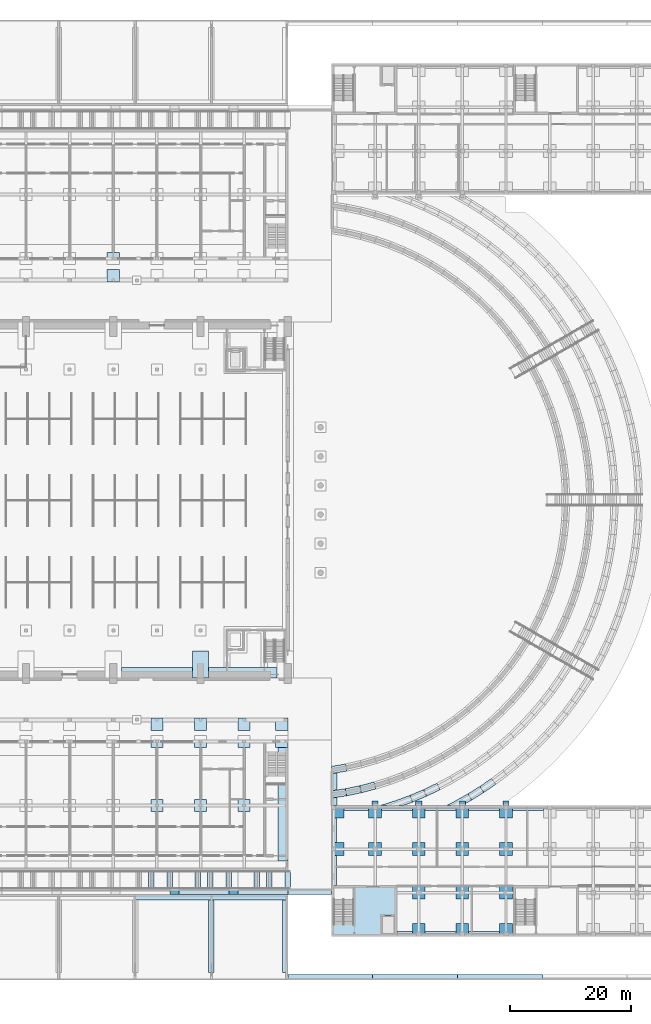
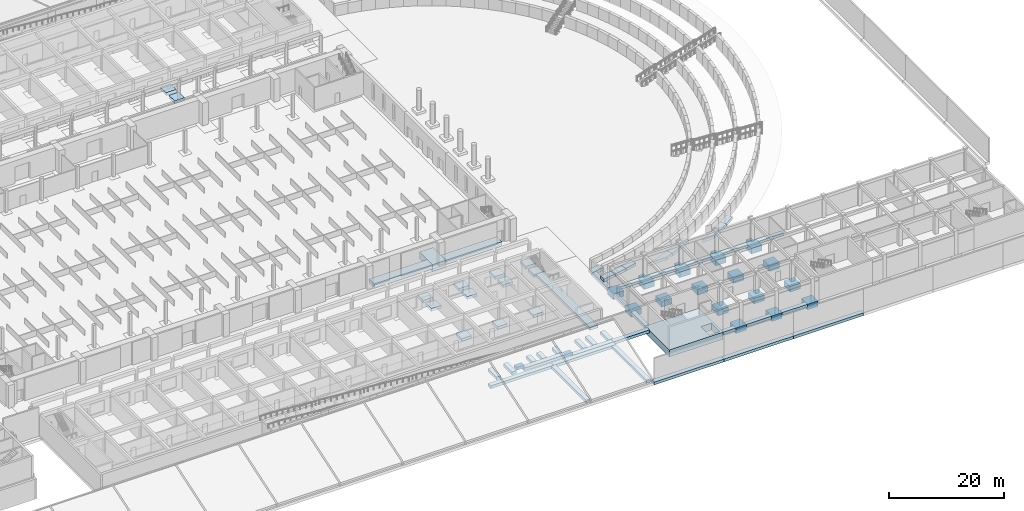
# One storey, part 6 of 73: 79 footings.
"""IFC4 building model written with IfcOpenShell, lengths in metres."""

from ifc_helpers import new_model, si_unit, direction, frame, origin, origin_2d, place, context, subcontext, project, spatial, polyline, rectangle, outline, extrude, material, type_object, element, save


model = new_model("IFC4")

# Units and contexts
model_context = context("Model", 3, precision=1e-05, world=origin(), true_north=direction((0.0, 1.0)))
body_context = subcontext(model_context, "Body", "Model", "MODEL_VIEW")
ifc_project = project(units=[si_unit("LENGTHUNIT", "METRE"), si_unit("AREAUNIT", "SQUARE_METRE"), si_unit("VOLUMEUNIT", "CUBIC_METRE"), si_unit("PLANEANGLEUNIT", "RADIAN"), si_unit("MASSUNIT", "GRAM", prefix="KILO")], contexts=[model_context])

# Site, building, storey
site_placement = place(None, origin())
site = spatial("IfcSite", under=ifc_project, at=site_placement, CompositionType="ELEMENT")
building_placement = place(site_placement, origin())
building = spatial("IfcBuilding", under=site, at=building_placement, Name="Alderwick Market Hall", CompositionType="ELEMENT")
storey_placement = place(building_placement, origin())
storey = spatial("IfcBuildingStorey", under=building, at=storey_placement, Name="LG", CompositionType="ELEMENT", Elevation=0.0)

# Footings
ifc_material = material(Name="Concrete 4000 psi (f'c 28 MPa)", Category="concrete")
footing_type_1 = type_object("IfcFootingType", Name="A Pad Footing 2000x2000x600", PredefinedType="PAD_FOOTING", material=ifc_material)
footing_1_placement = place(storey_placement, frame((0.0, 0.0, -0.60009765625)))
element("IfcFooting", 1, at=footing_1_placement, inside=storey, type_object=footing_type_1, Name="A.N.pad.F10", PredefinedType="PAD_FOOTING", context=body_context, shape_type="SweptSolid", body=[
    extrude(outline(polyline([(121.39990234375, 118.050048828125), (123.39990234375, 118.050048828125), (123.39990234375, 120.050048828125), (121.39990234375, 120.050048828125), (121.39990234375, 118.050048828125)])), origin(), (0.0, 0.0, 1.0), 0.60009765625),
])
footing_2_placement = place(storey_placement, frame((0.0, 0.0, -0.60009765625)))
element("IfcFooting", 2, at=footing_2_placement, inside=storey, type_object=footing_type_1, Name="A.N.pad.C10", PredefinedType="PAD_FOOTING", context=body_context, shape_type="SweptSolid", body=[
    extrude(outline(polyline([(121.39990234375, 115.199951171875), (123.39990234375, 115.199951171875), (123.39990234375, 117.199951171875), (121.39990234375, 117.199951171875), (121.39990234375, 115.199951171875)])), origin(), (0.0, 0.0, 1.0), 0.60009765625),
])
footing_3_placement = place(storey_placement, frame((0.0, 0.0, -0.60009765625)))
element("IfcFooting", 3, at=footing_3_placement, inside=storey, type_object=footing_type_1, Name="A.S.pad.F11", PredefinedType="PAD_FOOTING", context=body_context, shape_type="SweptSolid", body=[
    extrude(outline(polyline([(128.60009765625, 38.35009765625), (130.60009765625, 38.35009765625), (130.60009765625, 40.35009765625), (128.60009765625, 40.35009765625), (128.60009765625, 38.35009765625)])), origin(), (0.0, 0.0, 1.0), 0.60009765625),
])
footing_4_placement = place(storey_placement, frame((0.0, 0.0, -0.60009765625)))
element("IfcFooting", 4, at=footing_4_placement, inside=storey, type_object=footing_type_1, Name="A.S.pad.F12", PredefinedType="PAD_FOOTING", context=body_context, shape_type="SweptSolid", body=[
    extrude(outline(polyline([(135.800048828125, 38.35009765625), (137.800048828125, 38.35009765625), (137.800048828125, 40.35009765625), (135.800048828125, 40.35009765625), (135.800048828125, 38.35009765625)])), origin(), (0.0, 0.0, 1.0), 0.60009765625),
])
footing_5_placement = place(storey_placement, frame((0.0, 0.0, -0.60009765625)))
element("IfcFooting", 5, at=footing_5_placement, inside=storey, type_object=footing_type_1, Name="A.S.pad.F13", PredefinedType="PAD_FOOTING", context=body_context, shape_type="SweptSolid", body=[
    extrude(outline(polyline([(143.0, 38.35009765625), (145.0, 38.35009765625), (145.0, 40.35009765625), (143.0, 40.35009765625), (143.0, 38.35009765625)])), origin(), (0.0, 0.0, 1.0), 0.60009765625),
])
footing_6_placement = place(storey_placement, frame((0.0, 0.0, -0.60009765625)))
element("IfcFooting", 6, at=footing_6_placement, inside=storey, type_object=footing_type_1, Name="A.S.pad.F14", PredefinedType="PAD_FOOTING", context=body_context, shape_type="SweptSolid", body=[
    extrude(outline(polyline([(149.199951171875, 38.35009765625), (151.199951171875, 38.35009765625), (151.199951171875, 40.35009765625), (149.199951171875, 40.35009765625), (149.199951171875, 38.35009765625)])), origin(), (0.0, 0.0, 1.0), 0.60009765625),
])
footing_7_placement = place(storey_placement, frame((0.0, 0.0, -0.60009765625)))
element("IfcFooting", 7, at=footing_7_placement, inside=storey, type_object=footing_type_1, Name="A.S.pad.M10", PredefinedType="PAD_FOOTING", context=body_context, shape_type="SweptSolid", body=[
    extrude(outline(polyline([(128.60009765625, 27.800048828125), (130.60009765625, 27.800048828125), (130.60009765625, 29.800048828125), (128.60009765625, 29.800048828125), (128.60009765625, 27.800048828125)])), origin(), (0.0, 0.0, 1.0), 0.60009765625),
])
footing_8_placement = place(storey_placement, frame((0.0, 0.0, -0.60009765625)))
element("IfcFooting", 8, at=footing_8_placement, inside=storey, type_object=footing_type_1, Name="A.S.pad.M11", PredefinedType="PAD_FOOTING", context=body_context, shape_type="SweptSolid", body=[
    extrude(outline(polyline([(135.800048828125, 27.800048828125), (137.800048828125, 27.800048828125), (137.800048828125, 29.800048828125), (135.800048828125, 29.800048828125), (135.800048828125, 27.800048828125)])), origin(), (0.0, 0.0, 1.0), 0.60009765625),
])
footing_9_placement = place(storey_placement, frame((0.0, 0.0, -0.60009765625)))
element("IfcFooting", 9, at=footing_9_placement, inside=storey, type_object=footing_type_1, Name="A.S.pad.M12", PredefinedType="PAD_FOOTING", context=body_context, shape_type="SweptSolid", body=[
    extrude(outline(polyline([(143.0, 27.800048828125), (145.0, 27.800048828125), (145.0, 29.800048828125), (143.0, 29.800048828125), (143.0, 27.800048828125)])), origin(), (0.0, 0.0, 1.0), 0.60009765625),
])
footing_10_placement = place(storey_placement, frame((0.0, 0.0, -0.60009765625)))
element("IfcFooting", 10, at=footing_10_placement, inside=storey, type_object=footing_type_1, Name="A.S.pad.C11", PredefinedType="PAD_FOOTING", context=body_context, shape_type="SweptSolid", body=[
    extrude(outline(polyline([(128.60009765625, 41.199951171875), (130.60009765625, 41.199951171875), (130.60009765625, 43.199951171875), (128.60009765625, 43.199951171875), (128.60009765625, 41.199951171875)])), origin(), (0.0, 0.0, 1.0), 0.60009765625),
])
footing_11_placement = place(storey_placement, frame((0.0, 0.0, -0.60009765625)))
element("IfcFooting", 11, at=footing_11_placement, inside=storey, type_object=footing_type_1, Name="A.S.pad.C12", PredefinedType="PAD_FOOTING", context=body_context, shape_type="SweptSolid", body=[
    extrude(outline(polyline([(135.800048828125, 41.199951171875), (137.800048828125, 41.199951171875), (137.800048828125, 43.199951171875), (135.800048828125, 43.199951171875), (135.800048828125, 41.199951171875)])), origin(), (0.0, 0.0, 1.0), 0.60009765625),
])
footing_12_placement = place(storey_placement, frame((0.0, 0.0, -0.60009765625)))
element("IfcFooting", 12, at=footing_12_placement, inside=storey, type_object=footing_type_1, Name="A.S.pad.C13", PredefinedType="PAD_FOOTING", context=body_context, shape_type="SweptSolid", body=[
    extrude(outline(polyline([(143.0, 41.199951171875), (145.0, 41.199951171875), (145.0, 43.199951171875), (143.0, 43.199951171875), (143.0, 41.199951171875)])), origin(), (0.0, 0.0, 1.0), 0.60009765625),
])
footing_13_placement = place(storey_placement, frame((0.0, 0.0, -0.60009765625)))
element("IfcFooting", 13, at=footing_13_placement, inside=storey, type_object=footing_type_1, Name="A.S.pad.C14", PredefinedType="PAD_FOOTING", context=body_context, shape_type="SweptSolid", body=[
    extrude(outline(polyline([(149.199951171875, 41.199951171875), (151.199951171875, 41.199951171875), (151.199951171875, 43.199951171875), (149.199951171875, 43.199951171875), (149.199951171875, 41.199951171875)])), origin(), (0.0, 0.0, 1.0), 0.60009765625),
])
footing_type_2 = type_object("IfcFootingType", Name="A Strip Footing 1600x600", PredefinedType="STRIP_FOOTING", material=ifc_material)
footing_14_placement = place(storey_placement, frame((0.0, 0.0, -0.60009765625)))
element("IfcFooting", 14, at=footing_14_placement, inside=storey, type_object=footing_type_2, Name="A.S.strip.E", PredefinedType="STRIP_FOOTING", context=body_context, shape_type="SweptSolid", body=[
    extrude(outline(polyline([(149.60009765625, 19.60009765625), (151.199951171875, 19.60009765625), (151.199951171875, 38.35009765625), (149.60009765625, 38.35009765625), (149.60009765625, 19.60009765625)])), origin(), (0.0, 0.0, 1.0), 0.60009765625),
])
footing_type_3 = type_object("IfcFootingType", Name="C Core Raft 10800x8400x1500", PredefinedType="PAD_FOOTING", material=ifc_material)
footing_15_placement = place(storey_placement, frame((0.0, 0.0, -1.800048828125)))
element("IfcFooting", 15, at=footing_15_placement, inside=storey, type_object=footing_type_3, Name="C.raft.LG.A", PredefinedType="PAD_FOOTING", context=body_context, shape_type="SweptSolid", body=[
    extrude(outline(polyline([(158.39990234375, 15.60009765625), (169.199951171875, 15.60009765625), (169.199951171875, 7.199951171875), (158.39990234375, 7.199951171875), (158.39990234375, 15.60009765625)]), holes=[polyline([(166.699951171875, 10.60009765625), (168.800048828125, 10.60009765625), (168.800048828125, 7.60009765625), (166.699951171875, 7.60009765625), (166.699951171875, 10.60009765625)])]), origin(), (0.0, 0.0, 1.0), 1.5),
])
footing_type_4 = type_object("IfcFootingType", Name="C Pad Footing 2100x2100x1200", PredefinedType="PAD_FOOTING", material=ifc_material)
for number, where, z_axis, x_axis, name in (
    (16, (159.449951171875, 27.75, -1.5), (0.0, 0.0, 1.0), (1.0, 0.0, 0.0), "C.cap.LG.01"),
    (17, (165.60009765625, 27.75, -1.5), (0.0, 0.0, 1.0), (1.0, 0.0, 0.0), "C.cap.LG.02"),
    (18, (172.800048828125, 27.75, -1.5), (0.0, 0.0, 1.0), (1.0, 0.0, 0.0), "C.cap.LG.03"),
    (19, (180.0, 27.75, -1.5), (0.0, 0.0, 1.0), (1.0, 0.0, 0.0), "C.cap.LG.04"),
    (20, (187.199951171875, 27.75, -1.5), (0.0, 0.0, 1.0), (1.0, 0.0, 0.0), "C.cap.LG.05"),
    (21, (159.449951171875, 21.60009765625, -1.5), (0.0, 0.0, 1.0), (1.0, 0.0, 0.0), "C.cap.LG.12"),
    (22, (165.60009765625, 21.60009765625, -1.5), (0.0, 0.0, 1.0), (1.0, 0.0, 0.0), "C.cap.LG.13"),
    (23, (172.800048828125, 21.60009765625, -1.5), (0.0, 0.0, 1.0), (1.0, 0.0, 0.0), "C.cap.LG.14"),
    (24, (180.0, 21.60009765625, -1.5), (0.0, 0.0, 1.0), (1.0, 0.0, 0.0), "C.cap.LG.15"),
    (25, (187.199951171875, 21.60009765625, -1.5), (0.0, 0.0, 1.0), (1.0, 0.0, 0.0), "C.cap.LG.16"),
    (26, (172.800048828125, 14.39990234375, -1.5), (0.0, 0.0, 1.0), (1.0, 0.0, 0.0), "C.cap.LG.23"),
    (27, (180.0, 14.39990234375, -1.5), (0.0, 0.0, 1.0), (1.0, 0.0, 0.0), "C.cap.LG.24"),
    (28, (187.199951171875, 14.39990234375, -1.5), (0.0, 0.0, 1.0), (1.0, 0.0, 0.0), "C.cap.LG.25"),
    (29, (172.800048828125, 8.25, -1.5), (0.0, 0.0, 1.0), (1.0, 0.0, 0.0), "C.cap.LG.29"),
    (30, (180.0, 8.25, -1.5), (0.0, 0.0, 1.0), (1.0, 0.0, 0.0), "C.cap.LG.30"),
    (31, (187.199951171875, 8.25, -1.5), (0.0, 0.0, 1.0), (1.0, 0.0, 0.0), "C.cap.LG.31"),
):
    element("IfcFooting", number, at=place(storey_placement, frame(where, z_axis=z_axis, x_axis=x_axis)), inside=storey, type_object=footing_type_4, Name=name, PredefinedType="PAD_FOOTING", context=body_context, shape_type="SweptSolid", body=[
        extrude(rectangle(XDim=2.10009765625, YDim=2.10009765625, at=origin_2d()), origin(), (0.0, 0.0, 1.0), 1.199951171875),
    ])
footing_type_5 = type_object("IfcFootingType", Name="C Pilaster Pad Footing 1000x700x600", PredefinedType="PAD_FOOTING", material=ifc_material)
for number, where, z_axis, x_axis, name in (
    (32, (165.60009765625, 29.14990234375, -0.900146484375), (0.0, 0.0, 1.0), (1.0, 0.0, 0.0), "C.pilaster.foot.LG.001"),
    (33, (172.800048828125, 29.14990234375, -0.900146484375), (0.0, 0.0, 1.0), (1.0, 0.0, 0.0), "C.pilaster.foot.LG.005"),
    (34, (180.0, 29.14990234375, -0.900146484375), (0.0, 0.0, 1.0), (1.0, 0.0, 0.0), "C.pilaster.foot.LG.009"),
    (35, (187.199951171875, 29.14990234375, -0.900146484375), (0.0, 0.0, 1.0), (1.0, 0.0, 0.0), "C.pilaster.foot.LG.013"),
):
    element("IfcFooting", number, at=place(storey_placement, frame(where, z_axis=z_axis, x_axis=x_axis)), inside=storey, type_object=footing_type_5, Name=name, PredefinedType="PAD_FOOTING", context=body_context, shape_type="SweptSolid", body=[
        extrude(rectangle(XDim=1.0, YDim=0.699951171875, at=origin_2d()), origin(), (0.0, 0.0, 1.0), 0.60009765625),
    ])
footing_type_6 = type_object("IfcFootingType", Name="C Strip Footing 800x600", PredefinedType="STRIP_FOOTING", material=ifc_material)
footing_16_placement = place(storey_placement, frame((0.0, 0.0, -0.89990234375)))
element("IfcFooting", 36, at=footing_16_placement, inside=storey, type_object=footing_type_6, Name="C.strip.LG.01", PredefinedType="STRIP_FOOTING", context=body_context, shape_type="SweptSolid", body=[
    extrude(outline(polyline([(160.5009765625, 28.0), (164.549072265625, 28.0), (164.549072265625, 28.800048828125), (160.5009765625, 28.800048828125), (160.5009765625, 28.0)])), origin(), (0.0, 0.0, 1.0), 0.599853515625),
])
footing_17_placement = place(storey_placement, frame((0.0, 0.0, -0.89990234375)))
element("IfcFooting", 37, at=footing_17_placement, inside=storey, type_object=footing_type_6, Name="C.strip.LG.02", PredefinedType="STRIP_FOOTING", context=body_context, shape_type="SweptSolid", body=[
    extrude(outline(polyline([(166.65087890625, 28.0), (171.7490234375, 28.0), (171.7490234375, 28.800048828125), (166.65087890625, 28.800048828125), (166.65087890625, 28.0)])), origin(), (0.0, 0.0, 1.0), 0.599853515625),
])
footing_18_placement = place(storey_placement, frame((0.0, 0.0, -0.89990234375)))
element("IfcFooting", 38, at=footing_18_placement, inside=storey, type_object=footing_type_6, Name="C.strip.LG.03", PredefinedType="STRIP_FOOTING", context=body_context, shape_type="SweptSolid", body=[
    extrude(outline(polyline([(173.85107421875, 28.0), (178.948974609375, 28.0), (178.948974609375, 28.800048828125), (173.85107421875, 28.800048828125), (173.85107421875, 28.0)])), origin(), (0.0, 0.0, 1.0), 0.599853515625),
])
footing_19_placement = place(storey_placement, frame((0.0, 0.0, -0.89990234375)))
element("IfcFooting", 39, at=footing_19_placement, inside=storey, type_object=footing_type_6, Name="C.strip.LG.04", PredefinedType="STRIP_FOOTING", context=body_context, shape_type="SweptSolid", body=[
    extrude(outline(polyline([(181.051025390625, 28.0), (186.14892578125, 28.0), (186.14892578125, 28.800048828125), (181.051025390625, 28.800048828125), (181.051025390625, 28.0)])), origin(), (0.0, 0.0, 1.0), 0.599853515625),
])
footing_20_placement = place(storey_placement, frame((0.0, 0.0, -0.89990234375)))
element("IfcFooting", 40, at=footing_20_placement, inside=storey, type_object=footing_type_6, Name="C.strip.LG.05", PredefinedType="STRIP_FOOTING", context=body_context, shape_type="SweptSolid", body=[
    extrude(outline(polyline([(188.2509765625, 28.0), (193.34912109375, 28.0), (193.34912109375, 28.800048828125), (188.2509765625, 28.800048828125), (188.2509765625, 28.0)])), origin(), (0.0, 0.0, 1.0), 0.599853515625),
])
footing_21_placement = place(storey_placement, frame((0.0, 0.0, -0.89990234375)))
element("IfcFooting", 41, at=footing_21_placement, inside=storey, type_object=footing_type_6, Name="C.strip.LG.11", PredefinedType="STRIP_FOOTING", context=body_context, shape_type="SweptSolid", body=[
    extrude(outline(polyline([(169.200927734375, 7.199951171875), (171.7490234375, 7.199951171875), (171.7490234375, 8.0), (169.200927734375, 8.0), (169.200927734375, 7.199951171875)])), origin(), (0.0, 0.0, 1.0), 0.599853515625),
])
footing_22_placement = place(storey_placement, frame((0.0, 0.0, -0.89990234375)))
element("IfcFooting", 42, at=footing_22_placement, inside=storey, type_object=footing_type_6, Name="C.strip.LG.12", PredefinedType="STRIP_FOOTING", context=body_context, shape_type="SweptSolid", body=[
    extrude(outline(polyline([(173.85107421875, 7.199951171875), (178.948974609375, 7.199951171875), (178.948974609375, 8.0), (173.85107421875, 8.0), (173.85107421875, 7.199951171875)])), origin(), (0.0, 0.0, 1.0), 0.599853515625),
])
footing_23_placement = place(storey_placement, frame((0.0, 0.0, -0.89990234375)))
element("IfcFooting", 43, at=footing_23_placement, inside=storey, type_object=footing_type_6, Name="C.strip.LG.13", PredefinedType="STRIP_FOOTING", context=body_context, shape_type="SweptSolid", body=[
    extrude(outline(polyline([(181.051025390625, 7.199951171875), (186.14892578125, 7.199951171875), (186.14892578125, 8.0), (181.051025390625, 8.0), (181.051025390625, 7.199951171875)])), origin(), (0.0, 0.0, 1.0), 0.599853515625),
])
footing_24_placement = place(storey_placement, frame((0.0, 0.0, -0.89990234375)))
element("IfcFooting", 44, at=footing_24_placement, inside=storey, type_object=footing_type_6, Name="C.strip.LG.18", PredefinedType="STRIP_FOOTING", context=body_context, shape_type="SweptSolid", body=[
    extrude(outline(polyline([(158.39990234375, 22.65087890625), (159.199951171875, 22.65087890625), (159.199951171875, 26.698974609375), (158.39990234375, 26.698974609375), (158.39990234375, 22.65087890625)])), origin(), (0.0, 0.0, 1.0), 0.599853515625),
])
footing_25_placement = place(storey_placement, frame((0.0, 0.0, -0.89990234375)))
element("IfcFooting", 45, at=footing_25_placement, inside=storey, type_object=footing_type_6, Name="C.strip.LG.19", PredefinedType="STRIP_FOOTING", context=body_context, shape_type="SweptSolid", body=[
    extrude(outline(polyline([(158.39990234375, 15.60107421875), (159.199951171875, 15.60107421875), (159.199951171875, 20.549072265625), (158.39990234375, 20.549072265625), (158.39990234375, 15.60107421875)])), origin(), (0.0, 0.0, 1.0), 0.599853515625),
])
footing_type_7 = type_object("IfcFootingType", Name="H Pad footing 2700x4500x1500", PredefinedType="PAD_FOOTING", material=ifc_material)
footing_26_placement = place(storey_placement, frame((136.800048828125, 52.050048828125, -1.5), z_axis=(0.0, 0.0, 1.0), x_axis=(1.0, 0.0, 0.0)))
element("IfcFooting", 46, at=footing_26_placement, inside=storey, type_object=footing_type_7, Name="Pier footing S7", PredefinedType="PAD_FOOTING", context=body_context, shape_type="SweptSolid", body=[
    extrude(rectangle(XDim=2.699951171875, YDim=4.5, at=origin_2d()), origin(), (0.0, 0.0, 1.0), 1.5),
])
footing_type_8 = type_object("IfcFootingType", Name="H Strip footing 900", PredefinedType="STRIP_FOOTING", material=ifc_material)
footing_27_placement = place(storey_placement, frame((0.0, 0.0, -0.89990234375)))
element("IfcFooting", 47, at=footing_27_placement, inside=storey, type_object=footing_type_8, Name="Strip footing", PredefinedType="STRIP_FOOTING", context=body_context, shape_type="SweptSolid", body=[
    extrude(outline(polyline([(135.449951171875, 51.60009765625), (135.449951171875, 49.800048828125), (123.75, 49.800048828125), (123.75, 51.60009765625), (135.449951171875, 51.60009765625)])), origin(), (0.0, 0.0, 1.0), 0.89990234375),
])
footing_28_placement = place(storey_placement, frame((0.0, 0.0, -0.89990234375)))
element("IfcFooting", 48, at=footing_28_placement, inside=storey, type_object=footing_type_8, Name="Strip footing", PredefinedType="STRIP_FOOTING", context=body_context, shape_type="SweptSolid", body=[
    extrude(outline(polyline([(149.39990234375, 51.60009765625), (149.39990234375, 49.800048828125), (138.14990234375, 49.800048828125), (138.14990234375, 51.60009765625), (149.39990234375, 51.60009765625)])), origin(), (0.0, 0.0, 1.0), 0.89990234375),
])
footing_type_9 = type_object("IfcFootingType", Name="S Strip Footing 900", PredefinedType="STRIP_FOOTING", material=ifc_material)
footing_29_placement = place(storey_placement, frame((0.0, 0.0, -0.85009765625)))
element("IfcFooting", 49, at=footing_29_placement, inside=storey, type_object=footing_type_9, Name="S.efoot.07a.1", PredefinedType="STRIP_FOOTING", context=body_context, shape_type="SweptSolid", body=[
    extrude(outline(polyline([(159.300048828125, 28.81005859375), (159.300048828125, 34.44189453125), (158.39990234375, 34.44189453125), (158.39990234375, 28.81005859375), (159.300048828125, 28.81005859375)])), origin(), (0.0, 0.0, 1.0), 0.60009765625),
])
footing_30_placement = place(storey_placement, frame((0.0, 0.0, -0.800048828125)))
element("IfcFooting", 50, at=footing_30_placement, inside=storey, type_object=footing_type_9, Name="S.ffoot.W1.01", PredefinedType="STRIP_FOOTING", context=body_context, shape_type="SweptSolid", body=[
    extrude(outline(polyline([(158.39990234375, 35.25146484375), (158.39990234375, 34.037841796875), (158.48388671875, 34.049072265625), (160.968994140625, 34.470703125), (160.735595703125, 35.64794921875), (158.39990234375, 35.25146484375)])), origin(), (0.0, 0.0, 1.0), 0.60009765625),
])
footing_31_placement = place(storey_placement, frame((0.0, 0.0, 0.300048828125)))
element("IfcFooting", 51, at=footing_31_placement, inside=storey, type_object=footing_type_9, Name="S.ffoot.W2.01", PredefinedType="STRIP_FOOTING", context=body_context, shape_type="SweptSolid", body=[
    extrude(outline(polyline([(158.39990234375, 31.213623046875), (158.39990234375, 30.002197265625), (158.47705078125, 30.01171875), (160.921875, 30.390869140625), (160.708251953125, 31.57177734375), (158.39990234375, 31.213623046875)])), origin(), (0.0, 0.0, 1.0), 0.599853515625),
])
footing_32_placement = place(storey_placement, frame((0.0, 0.0, 0.300048828125)))
element("IfcFooting", 52, at=footing_32_placement, inside=storey, type_object=footing_type_9, Name="S.ffoot.W2.02", PredefinedType="STRIP_FOOTING", context=body_context, shape_type="SweptSolid", body=[
    extrude(outline(polyline([(160.921875, 30.390869140625), (163.344482421875, 30.891357421875), (163.072509765625, 32.06005859375), (160.708251953125, 31.57177734375), (160.921875, 30.390869140625)])), origin(), (0.0, 0.0, 1.0), 0.599853515625),
])
footing_33_placement = place(storey_placement, frame((0.0, 0.0, 0.300048828125)))
element("IfcFooting", 53, at=footing_33_placement, inside=storey, type_object=footing_type_9, Name="S.ffoot.W2.03", PredefinedType="STRIP_FOOTING", context=body_context, shape_type="SweptSolid", body=[
    extrude(outline(polyline([(163.344482421875, 30.891357421875), (165.739013671875, 31.51220703125), (165.4091796875, 32.666015625), (163.072509765625, 32.06005859375), (163.344482421875, 30.891357421875)])), origin(), (0.0, 0.0, 1.0), 0.599853515625),
])
footing_34_placement = place(storey_placement, frame((0.0, 0.0, 1.5)))
element("IfcFooting", 54, at=footing_34_placement, inside=storey, type_object=footing_type_9, Name="S.ffoot.W3.01", PredefinedType="STRIP_FOOTING", context=body_context, shape_type="SweptSolid", body=[
    extrude(outline(polyline([(166.4384765625, 28.800048828125), (170.302978515625, 28.800048828125), (171.783203125, 29.344970703125), (171.342529296875, 30.461181640625), (169.0517578125, 29.61767578125), (168.189453125, 29.331298828125), (167.322509765625, 29.059814453125), (166.450927734375, 28.803466796875), (166.4384765625, 28.800048828125)])), origin(), (0.0, 0.0, 1.0), 0.60009765625),
])
footing_35_placement = place(storey_placement, frame((0.0, 0.0, 1.5)))
element("IfcFooting", 55, at=footing_35_placement, inside=storey, type_object=footing_type_9, Name="S.ffoot.W3.02", PredefinedType="STRIP_FOOTING", context=body_context, shape_type="SweptSolid", body=[
    extrude(outline(polyline([(171.783203125, 29.344970703125), (174.083984375, 30.31591796875), (173.591796875, 31.41015625), (171.342529296875, 30.461181640625), (171.783203125, 29.344970703125)])), origin(), (0.0, 0.0, 1.0), 0.60009765625),
])
footing_36_placement = place(storey_placement, frame((0.0, 0.0, 1.5)))
element("IfcFooting", 56, at=footing_36_placement, inside=storey, type_object=footing_type_9, Name="S.ffoot.W3.03", PredefinedType="STRIP_FOOTING", context=body_context, shape_type="SweptSolid", body=[
    extrude(outline(polyline([(174.083984375, 30.31591796875), (176.3369140625, 31.392822265625), (175.79443359375, 32.463134765625), (173.591796875, 31.41015625), (174.083984375, 30.31591796875)])), origin(), (0.0, 0.0, 1.0), 0.60009765625),
])
footing_37_placement = place(storey_placement, frame((0.0, 0.0, 2.699951171875)))
element("IfcFooting", 57, at=footing_37_placement, inside=storey, type_object=footing_type_9, Name="S.ffoot.W4.01", PredefinedType="STRIP_FOOTING", context=body_context, shape_type="SweptSolid", body=[
    extrude(outline(polyline([(177.41064453125, 28.800048828125), (179.96728515625, 28.800048828125), (181.53662109375, 29.68994140625), (180.92333984375, 30.721435546875), (178.90673828125, 29.577880859375), (178.055419921875, 29.127197265625), (177.41064453125, 28.800048828125)])), origin(), (0.0, 0.0, 1.0), 0.60009765625),
])
footing_38_placement = place(storey_placement, frame((0.0, 0.0, 2.699951171875)))
element("IfcFooting", 58, at=footing_38_placement, inside=storey, type_object=footing_type_9, Name="S.ffoot.W4.02", PredefinedType="STRIP_FOOTING", context=body_context, shape_type="SweptSolid", body=[
    extrude(outline(polyline([(181.53662109375, 29.68994140625), (183.546142578125, 30.94140625), (182.89111328125, 31.94677734375), (180.92333984375, 30.721435546875), (181.53662109375, 29.68994140625)])), origin(), (0.0, 0.0, 1.0), 0.60009765625),
])
footing_39_placement = place(storey_placement, frame((0.0, 0.0, 2.699951171875)))
element("IfcFooting", 59, at=footing_39_placement, inside=storey, type_object=footing_type_9, Name="S.ffoot.W4.03", PredefinedType="STRIP_FOOTING", context=body_context, shape_type="SweptSolid", body=[
    extrude(outline(polyline([(183.546142578125, 30.94140625), (185.502685546875, 32.2744140625), (184.806884765625, 33.251953125), (182.89111328125, 31.94677734375), (183.546142578125, 30.94140625)])), origin(), (0.0, 0.0, 1.0), 0.60009765625),
])
footing_40_placement = place(storey_placement, frame((0.0, 0.0, -0.85009765625)))
element("IfcFooting", 60, at=footing_40_placement, inside=storey, type_object=footing_type_9, Name="S.tfoot.S.01", PredefinedType="STRIP_FOOTING", context=body_context, shape_type="SweptSolid", body=[
    extrude(outline(polyline([(158.39990234375, 14.10009765625), (158.39990234375, 15.0), (151.199951171875, 15.0), (151.199951171875, 14.10009765625), (158.39990234375, 14.10009765625)])), origin(), (0.0, 0.0, 1.0), 0.60009765625),
])
footing_41_placement = place(storey_placement, frame((0.0, 0.0, -0.85009765625)))
element("IfcFooting", 61, at=footing_41_placement, inside=storey, type_object=footing_type_9, Name="S.tfoot.S.02", PredefinedType="STRIP_FOOTING", context=body_context, shape_type="SweptSolid", body=[
    extrude(outline(polyline([(151.199951171875, 14.10009765625), (151.199951171875, 15.0), (142.970947265625, 15.0), (142.970947265625, 14.10009765625), (151.199951171875, 14.10009765625)])), origin(), (0.0, 0.0, 1.0), 0.60009765625),
])
footing_42_placement = place(storey_placement, frame((0.0, 0.0, -0.164306640625)))
element("IfcFooting", 62, at=footing_42_placement, inside=storey, type_object=footing_type_9, Name="S.tfoot.S.03", PredefinedType="STRIP_FOOTING", context=body_context, shape_type="SweptSolid", body=[
    extrude(outline(polyline([(142.970947265625, 14.10009765625), (142.970947265625, 15.0), (141.470947265625, 15.0), (141.470947265625, 14.10009765625), (142.970947265625, 14.10009765625)])), origin(), (0.0, 0.0, 1.0), 0.60009765625),
])
footing_43_placement = place(storey_placement, frame((0.0, 0.0, -0.164306640625)))
element("IfcFooting", 63, at=footing_43_placement, inside=storey, type_object=footing_type_9, Name="S.tfoot.S.04", PredefinedType="STRIP_FOOTING", context=body_context, shape_type="SweptSolid", body=[
    extrude(outline(polyline([(141.470947265625, 14.10009765625), (141.470947265625, 15.0), (133.242919921875, 15.0), (133.242919921875, 14.10009765625), (141.470947265625, 14.10009765625)])), origin(), (0.0, 0.0, 1.0), 0.60009765625),
])
footing_44_placement = place(storey_placement, frame((0.0, 0.0, 0.521484375)))
element("IfcFooting", 64, at=footing_44_placement, inside=storey, type_object=footing_type_9, Name="S.tfoot.S.05", PredefinedType="STRIP_FOOTING", context=body_context, shape_type="SweptSolid", body=[
    extrude(outline(polyline([(133.242919921875, 14.10009765625), (133.242919921875, 15.0), (131.742919921875, 15.0), (131.742919921875, 14.10009765625), (133.242919921875, 14.10009765625)])), origin(), (0.0, 0.0, 1.0), 0.599853515625),
])
footing_45_placement = place(storey_placement, frame((0.0, 0.0, -0.85009765625)))
element("IfcFooting", 65, at=footing_45_placement, inside=storey, type_object=footing_type_9, Name="Ramp support footing S1a", PredefinedType="STRIP_FOOTING", context=body_context, shape_type="SweptSolid", body=[
    extrude(outline(polyline([(151.64990234375, 15.0), (151.64990234375, 18.0), (150.75, 18.0), (150.75, 15.0), (151.64990234375, 15.0)])), origin(), (0.0, 0.0, 1.0), 0.60009765625),
])
footing_46_placement = place(storey_placement, frame((0.0, 0.0, -0.85009765625)))
element("IfcFooting", 66, at=footing_46_placement, inside=storey, type_object=footing_type_9, Name="Ramp support footing S1b", PredefinedType="STRIP_FOOTING", context=body_context, shape_type="SweptSolid", body=[
    extrude(outline(polyline([(148.564208984375, 15.0), (148.564208984375, 18.0), (147.6640625, 18.0), (147.6640625, 15.0), (148.564208984375, 15.0)])), origin(), (0.0, 0.0, 1.0), 0.60009765625),
])
footing_47_placement = place(storey_placement, frame((0.0, 0.0, -0.85009765625)))
element("IfcFooting", 67, at=footing_47_placement, inside=storey, type_object=footing_type_9, Name="Ramp support footing S1d", PredefinedType="STRIP_FOOTING", context=body_context, shape_type="SweptSolid", body=[
    extrude(outline(polyline([(146.5068359375, 15.0), (146.5068359375, 18.0), (145.60693359375, 18.0), (145.60693359375, 15.0), (146.5068359375, 15.0)])), origin(), (0.0, 0.0, 1.0), 0.60009765625),
])
footing_48_placement = place(storey_placement, frame((0.0, 0.0, -0.85009765625)))
element("IfcFooting", 68, at=footing_48_placement, inside=storey, type_object=footing_type_9, Name="Ramp support footing S1c", PredefinedType="STRIP_FOOTING", context=body_context, shape_type="SweptSolid", body=[
    extrude(outline(polyline([(141.9208984375, 15.0), (141.9208984375, 18.0), (141.02099609375, 18.0), (141.02099609375, 15.0), (141.9208984375, 15.0)])), origin(), (0.0, 0.0, 1.0), 0.60009765625),
])
footing_49_placement = place(storey_placement, frame((0.0, 0.0, -0.85009765625)))
element("IfcFooting", 69, at=footing_49_placement, inside=storey, type_object=footing_type_9, Name="Ramp support footing S2b", PredefinedType="STRIP_FOOTING", context=body_context, shape_type="SweptSolid", body=[
    extrude(outline(polyline([(138.83544921875, 15.0), (138.83544921875, 18.0), (137.935546875, 18.0), (137.935546875, 15.0), (138.83544921875, 15.0)])), origin(), (0.0, 0.0, 1.0), 0.60009765625),
])
footing_50_placement = place(storey_placement, frame((0.0, 0.0, -0.85009765625)))
element("IfcFooting", 70, at=footing_50_placement, inside=storey, type_object=footing_type_9, Name="Ramp support footing S2d", PredefinedType="STRIP_FOOTING", context=body_context, shape_type="SweptSolid", body=[
    extrude(outline(polyline([(136.778564453125, 15.0), (136.778564453125, 18.0), (135.87841796875, 18.0), (135.87841796875, 15.0), (136.778564453125, 15.0)])), origin(), (0.0, 0.0, 1.0), 0.60009765625),
])
footing_51_placement = place(storey_placement, frame((0.0, 0.0, -0.85009765625)))
element("IfcFooting", 71, at=footing_51_placement, inside=storey, type_object=footing_type_9, Name="Ramp support footing S2c", PredefinedType="STRIP_FOOTING", context=body_context, shape_type="SweptSolid", body=[
    extrude(outline(polyline([(132.193115234375, 15.0), (132.193115234375, 18.0), (131.29296875, 18.0), (131.29296875, 15.0), (132.193115234375, 15.0)])), origin(), (0.0, 0.0, 1.0), 0.60009765625),
])
footing_52_placement = place(storey_placement, frame((0.0, 0.0, -0.85009765625)))
element("IfcFooting", 72, at=footing_52_placement, inside=storey, type_object=footing_type_9, Name="Ramp support footing S3b", PredefinedType="STRIP_FOOTING", context=body_context, shape_type="SweptSolid", body=[
    extrude(outline(polyline([(129.107177734375, 15.0), (129.107177734375, 18.0), (128.20703125, 18.0), (128.20703125, 15.0), (129.107177734375, 15.0)])), origin(), (0.0, 0.0, 1.0), 0.60009765625),
])
footing_53_placement = place(storey_placement, frame((0.0, 0.0, -0.85009765625)))
element("IfcFooting", 73, at=footing_53_placement, inside=storey, type_object=footing_type_9, Name="S.berm.S.cfoot.11", PredefinedType="STRIP_FOOTING", context=body_context, shape_type="SweptSolid", body=[
    extrude(outline(polyline([(138.60009765625, 13.199951171875), (138.60009765625, 14.10009765625), (126.0, 14.10009765625), (126.0, 13.199951171875), (138.60009765625, 13.199951171875)])), origin(), (0.0, 0.0, 1.0), 0.60009765625),
])
footing_54_placement = place(storey_placement, frame((0.0, 0.0, -0.85009765625)))
element("IfcFooting", 74, at=footing_54_placement, inside=storey, type_object=footing_type_9, Name="S.berm.S.cfoot.12", PredefinedType="STRIP_FOOTING", context=body_context, shape_type="SweptSolid", body=[
    extrude(outline(polyline([(151.199951171875, 13.199951171875), (151.199951171875, 14.10009765625), (138.60009765625, 14.10009765625), (138.60009765625, 13.199951171875), (151.199951171875, 13.199951171875)])), origin(), (0.0, 0.0, 1.0), 0.60009765625),
])
footing_55_placement = place(storey_placement, frame((0.0, 0.0, -0.85009765625)))
element("IfcFooting", 75, at=footing_55_placement, inside=storey, type_object=footing_type_9, Name="S.berm.S.xfoot.12", PredefinedType="STRIP_FOOTING", context=body_context, shape_type="SweptSolid", body=[
    extrude(outline(polyline([(139.050048828125, 1.199951171875), (139.050048828125, 13.199951171875), (138.14990234375, 13.199951171875), (138.14990234375, 1.199951171875), (139.050048828125, 1.199951171875)])), origin(), (0.0, 0.0, 1.0), 0.60009765625),
])
footing_56_placement = place(storey_placement, frame((0.0, 0.0, -0.85009765625)))
element("IfcFooting", 76, at=footing_56_placement, inside=storey, type_object=footing_type_9, Name="S.berm.S.xfoot.13", PredefinedType="STRIP_FOOTING", context=body_context, shape_type="SweptSolid", body=[
    extrude(outline(polyline([(151.199951171875, 1.199951171875), (151.199951171875, 13.199951171875), (150.300048828125, 13.199951171875), (150.300048828125, 1.199951171875), (151.199951171875, 1.199951171875)])), origin(), (0.0, 0.0, 1.0), 0.60009765625),
])
footing_57_placement = place(storey_placement, frame((0.0, 0.0, -0.85009765625)))
element("IfcFooting", 77, at=footing_57_placement, inside=storey, type_object=footing_type_9, Name="S.bfoot.S01a", PredefinedType="STRIP_FOOTING", context=body_context, shape_type="SweptSolid", body=[
    extrude(outline(polyline([(151.199951171875, 0.89990234375), (151.199951171875, 0.0), (165.199951171875, 0.0), (165.199951171875, 0.89990234375), (151.199951171875, 0.89990234375)])), origin(), (0.0, 0.0, 1.0), 0.60009765625),
])
footing_58_placement = place(storey_placement, frame((0.0, 0.0, -0.85009765625)))
element("IfcFooting", 78, at=footing_58_placement, inside=storey, type_object=footing_type_9, Name="S.bfoot.S01b", PredefinedType="STRIP_FOOTING", context=body_context, shape_type="SweptSolid", body=[
    extrude(outline(polyline([(165.199951171875, 0.89990234375), (165.199951171875, 0.0), (179.199951171875, 0.0), (179.199951171875, 0.89990234375), (165.199951171875, 0.89990234375)])), origin(), (0.0, 0.0, 1.0), 0.60009765625),
])
footing_59_placement = place(storey_placement, frame((0.0, 0.0, -0.85009765625)))
element("IfcFooting", 79, at=footing_59_placement, inside=storey, type_object=footing_type_9, Name="S.bfoot.S01c", PredefinedType="STRIP_FOOTING", context=body_context, shape_type="SweptSolid", body=[
    extrude(outline(polyline([(179.199951171875, 0.89990234375), (179.199951171875, 0.0), (193.199951171875, 0.0), (193.199951171875, 0.89990234375), (179.199951171875, 0.89990234375)])), origin(), (0.0, 0.0, 1.0), 0.60009765625),
])

save(model, "model.ifc")
